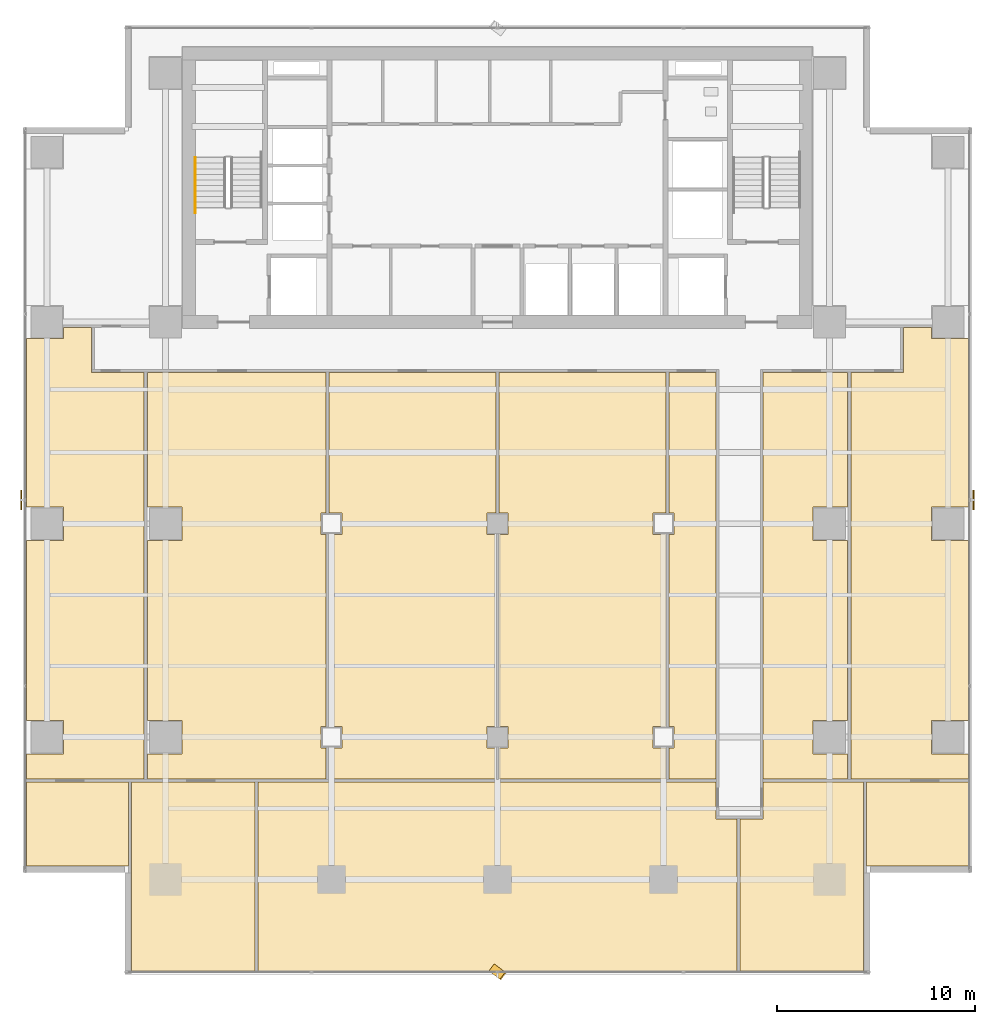
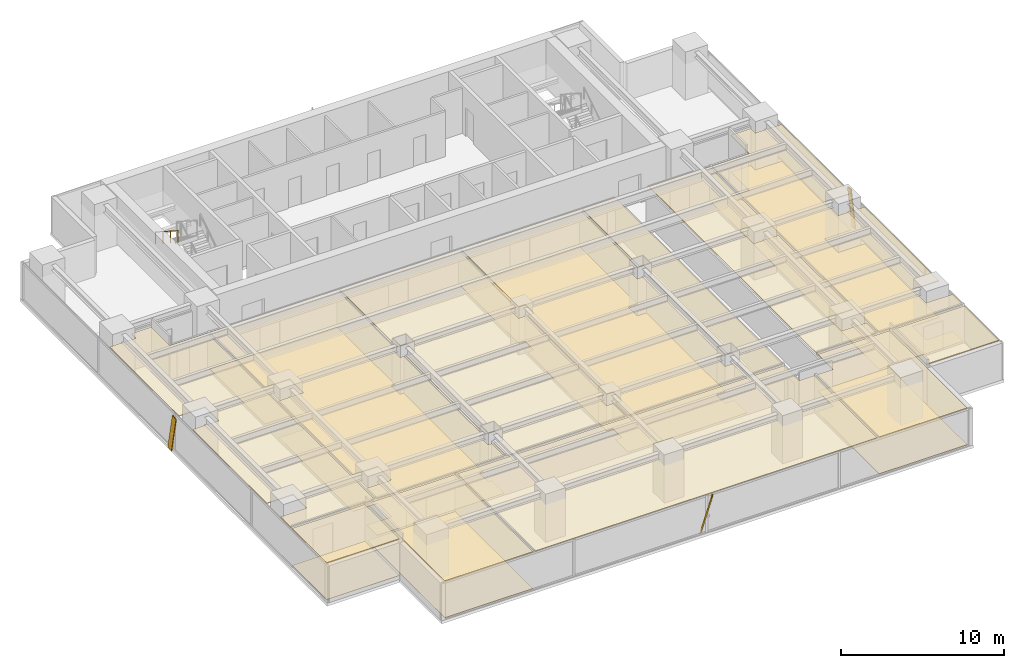
# One storey, part 24 of 28: 18 coverings, 3 shading devices, 1 railing.
"""IFC4 building model written with IfcOpenShell, lengths in metres."""

from ifc_helpers import new_model, si_unit, direction, frame, origin, origin_2d, place, context, subcontext, project, spatial, polyline, rectangle, outline, extrude, source, transform, mapped, material, layer, layer_set, material_profile, profile_set, type_object, element, save


model = new_model("IFC4")

# Units and contexts
model_context = context("Model", 3, precision=1e-05, world=origin(), true_north=direction((0.0, 1.0)))
body_context = subcontext(model_context, "Body", "Model", "MODEL_VIEW")
ifc_project = project(units=[si_unit("LENGTHUNIT", "METRE"), si_unit("AREAUNIT", "SQUARE_METRE"), si_unit("VOLUMEUNIT", "CUBIC_METRE"), si_unit("PLANEANGLEUNIT", "RADIAN"), si_unit("MASSUNIT", "GRAM", prefix="KILO")], contexts=[model_context])

# Site, building, storey
site_placement = place(None, origin())
site = spatial("IfcSite", under=ifc_project, at=site_placement, CompositionType="ELEMENT")
building_placement = place(site_placement, origin())
building = spatial("IfcBuilding", under=site, at=building_placement, Name="Sumidabori Civic Tower", CompositionType="ELEMENT")
storey_placement = place(building_placement, frame((0.0, 0.0, 178.39990234375)))
storey = spatial("IfcBuildingStorey", under=building, at=storey_placement, Name="L46", CompositionType="ELEMENT", Elevation=178.39990234375)

# Coverings
ifc_material_1 = material(Name="Gypsum Coffered Acoustic Ceiling")
ifc_layer_1 = layer(ifc_material_1, 0.06494140625, Name="Gypsum Coffered Acoustic Ceiling")
ifc_layer_set_1 = layer_set([ifc_layer_1], Name="Gypsum Coffered Acoustic Ceiling")
covering_type_1 = type_object("IfcCoveringType", Name="CV-CEIL-AC4", PredefinedType="CEILING", material=ifc_layer_set_1)
covering_1_placement = place(storey_placement, frame((0.0, 0.0, 2.72998046875)))
element("IfcCovering", 1, at=covering_1_placement, inside=storey, type_object=covering_type_1, Name="Room Acoustic Ceiling L46-02", PredefinedType="CEILING", context=body_context, shape_type="SweptSolid", body=[
    extrude(outline(polyline([(-23.830078125, -0.840087890625), (-21.9599609375, -0.840087890625), (-21.9599609375, 0.840087890625), (-23.830078125, 0.840087890625), (-23.830078125, 9.360107421875), (-21.9599609375, 9.360107421875), (-21.9599609375, 9.919921875), (-20.5400390625, 9.919921875), (-20.5400390625, 7.659912109375), (-17.8798828125, 7.659912109375), (-17.8798828125, -12.919921875), (-23.830078125, -12.919921875), (-23.830078125, -11.639892578125), (-21.9599609375, -11.639892578125), (-21.9599609375, -9.9599609375), (-23.830078125, -9.9599609375), (-23.830078125, -0.840087890625)])), origin(), (0.0, 0.0, 1.0), 0.065185546875),
])
covering_2_placement = place(storey_placement, frame((0.0, 0.0, 2.72998046875)))
element("IfcCovering", 2, at=covering_2_placement, inside=storey, type_object=covering_type_1, Name="Room Acoustic Ceiling L46-03", PredefinedType="CEILING", context=body_context, shape_type="SweptSolid", body=[
    extrude(outline(polyline([(23.830078125, 0.840087890625), (21.9599609375, 0.840087890625), (21.9599609375, -0.840087890625), (23.830078125, -0.840087890625), (23.830078125, -9.9599609375), (21.9599609375, -9.9599609375), (21.9599609375, -11.639892578125), (23.830078125, -11.639892578125), (23.830078125, -12.919921875), (17.8798828125, -12.919921875), (17.8798828125, 7.659912109375), (20.5400390625, 7.659912109375), (20.5400390625, 9.919921875), (21.9599609375, 9.919921875), (21.9599609375, 9.360107421875), (23.830078125, 9.360107421875), (23.830078125, 0.840087890625)])), origin(), (0.0, 0.0, 1.0), 0.065185546875),
])
covering_3_placement = place(storey_placement, frame((0.0, 0.0, 2.72998046875)))
element("IfcCovering", 3, at=covering_3_placement, inside=storey, type_object=covering_type_1, Name="Room Acoustic Ceiling L46-04", PredefinedType="CEILING", context=body_context, shape_type="SweptSolid", body=[
    extrude(outline(polyline([(13.43994140625, -12.919921875), (13.43994140625, 7.659912109375), (17.719970703125, 7.659912109375), (17.719970703125, 0.840087890625), (15.9599609375, 0.840087890625), (15.9599609375, -0.840087890625), (17.719970703125, -0.840087890625), (17.719970703125, -9.9599609375), (15.9599609375, -9.9599609375), (15.9599609375, -11.639892578125), (17.719970703125, -11.639892578125), (17.719970703125, -12.919921875), (13.43994140625, -12.919921875)])), origin(), (0.0, 0.0, 1.0), 0.065185546875),
])
covering_4_placement = place(storey_placement, frame((0.0, 0.0, 2.72998046875)))
element("IfcCovering", 4, at=covering_4_placement, inside=storey, type_object=covering_type_1, Name="Room Acoustic Ceiling L46-05", PredefinedType="CEILING", context=body_context, shape_type="SweptSolid", body=[
    extrude(outline(polyline([(-17.719970703125, -11.639892578125), (-15.9599609375, -11.639892578125), (-15.9599609375, -9.9599609375), (-17.719970703125, -9.9599609375), (-17.719970703125, -0.840087890625), (-15.9599609375, -0.840087890625), (-15.9599609375, 0.840087890625), (-17.719970703125, 0.840087890625), (-17.719970703125, 7.659912109375), (-8.679931640625, 7.659912109375), (-8.679931640625, 0.5400390625), (-8.93994140625, 0.5400390625), (-8.93994140625, -0.5400390625), (-8.679931640625, -0.5400390625), (-8.679931640625, -10.260009765625), (-8.93994140625, -10.260009765625), (-8.93994140625, -11.340087890625), (-8.679931640625, -11.340087890625), (-8.679931640625, -12.919921875), (-17.719970703125, -12.919921875), (-17.719970703125, -11.639892578125)])), origin(), (0.0, 0.0, 1.0), 0.065185546875),
])
covering_5_placement = place(storey_placement, frame((0.0, 0.0, 2.72998046875)))
element("IfcCovering", 5, at=covering_5_placement, inside=storey, type_object=covering_type_1, Name="Room Acoustic Ceiling L46-06", PredefinedType="CEILING", context=body_context, shape_type="SweptSolid", body=[
    extrude(outline(polyline([(-8.52001953125, -12.919921875), (-8.52001953125, -11.340087890625), (-7.860107421875, -11.340087890625), (-7.860107421875, -10.260009765625), (-8.52001953125, -10.260009765625), (-8.52001953125, -0.5400390625), (-7.860107421875, -0.5400390625), (-7.860107421875, 0.5400390625), (-8.52001953125, 0.5400390625), (-8.52001953125, 7.659912109375), (-0.080078125, 7.659912109375), (-0.080078125, 0.5400390625), (-0.5400390625, 0.5400390625), (-0.5400390625, -0.5400390625), (-0.080078125, -0.5400390625), (-0.080078125, -10.260009765625), (-0.5400390625, -10.260009765625), (-0.5400390625, -11.340087890625), (-0.080078125, -11.340087890625), (-0.080078125, -12.919921875), (-8.52001953125, -12.919921875)])), origin(), (0.0, 0.0, 1.0), 0.065185546875),
])
covering_6_placement = place(storey_placement, frame((0.0, 0.0, 2.72998046875)))
element("IfcCovering", 6, at=covering_6_placement, inside=storey, type_object=covering_type_1, Name="Room Acoustic Ceiling L46-07", PredefinedType="CEILING", context=body_context, shape_type="SweptSolid", body=[
    extrude(outline(polyline([(0.080078125, -12.919921875), (0.080078125, -11.340087890625), (0.5400390625, -11.340087890625), (0.5400390625, -10.260009765625), (0.080078125, -10.260009765625), (0.080078125, -0.5400390625), (0.5400390625, -0.5400390625), (0.5400390625, 0.5400390625), (0.080078125, 0.5400390625), (0.080078125, 7.659912109375), (8.52001953125, 7.659912109375), (8.52001953125, 0.5400390625), (7.860107421875, 0.5400390625), (7.860107421875, -0.5400390625), (8.52001953125, -0.5400390625), (8.52001953125, -10.260009765625), (7.860107421875, -10.260009765625), (7.860107421875, -11.340087890625), (8.52001953125, -11.340087890625), (8.52001953125, -12.919921875), (0.080078125, -12.919921875)])), origin(), (0.0, 0.0, 1.0), 0.065185546875),
])
covering_7_placement = place(storey_placement, frame((0.0, 0.0, 2.72998046875)))
element("IfcCovering", 7, at=covering_7_placement, inside=storey, type_object=covering_type_1, Name="Room Acoustic Ceiling L46-08", PredefinedType="CEILING", context=body_context, shape_type="SweptSolid", body=[
    extrude(outline(polyline([(8.679931640625, -12.919921875), (8.679931640625, -11.340087890625), (8.93994140625, -11.340087890625), (8.93994140625, -10.260009765625), (8.679931640625, -10.260009765625), (8.679931640625, -0.5400390625), (8.93994140625, -0.5400390625), (8.93994140625, 0.5400390625), (8.679931640625, 0.5400390625), (8.679931640625, 7.659912109375), (11.06005859375, 7.659912109375), (11.06005859375, -12.919921875), (8.679931640625, -12.919921875)])), origin(), (0.0, 0.0, 1.0), 0.065185546875),
])
covering_8_placement = place(storey_placement, frame((0.0, 0.0, 2.72998046875)))
element("IfcCovering", 8, at=covering_8_placement, inside=storey, type_object=covering_type_1, Name="Room Acoustic Ceiling L46-09", PredefinedType="CEILING", context=body_context, shape_type="SweptSolid", body=[
    extrude(outline(polyline([(-23.830078125, -17.322021484375), (-23.830078125, -13.080078125), (-18.679931640625, -13.080078125), (-18.679931640625, -17.322021484375), (-23.830078125, -17.322021484375)])), origin(), (0.0, 0.0, 1.0), 0.065185546875),
])
covering_9_placement = place(storey_placement, frame((0.0, 0.0, 2.72998046875)))
element("IfcCovering", 9, at=covering_9_placement, inside=storey, type_object=covering_type_1, Name="Room Acoustic Ceiling L46-10", PredefinedType="CEILING", context=body_context, shape_type="SweptSolid", body=[
    extrude(outline(polyline([(23.830078125, -13.080078125), (23.830078125, -17.322021484375), (18.679931640625, -17.322021484375), (18.679931640625, -13.080078125), (23.830078125, -13.080078125)])), origin(), (0.0, 0.0, 1.0), 0.065185546875),
])
covering_10_placement = place(storey_placement, frame((0.0, 0.0, 2.72998046875)))
element("IfcCovering", 10, at=covering_10_placement, inside=storey, type_object=covering_type_1, Name="Room Acoustic Ceiling L46-11", PredefinedType="CEILING", context=body_context, shape_type="SweptSolid", body=[
    extrude(outline(polyline([(-18.52001953125, -17.681884765625), (-18.52001953125, -13.080078125), (-12.280029296875, -13.080078125), (-12.280029296875, -22.6298828125), (-18.52197265625, -22.6298828125), (-18.52197265625, -17.681884765625), (-18.52001953125, -17.681884765625)])), origin(), (0.0, 0.0, 1.0), 0.065185546875),
])
covering_11_placement = place(storey_placement, frame((0.0, 0.0, 2.72998046875)))
element("IfcCovering", 11, at=covering_11_placement, inside=storey, type_object=covering_type_1, Name="Room Acoustic Ceiling L46-12", PredefinedType="CEILING", context=body_context, shape_type="SweptSolid", body=[
    extrude(outline(polyline([(-12.1201171875, -22.6298828125), (-12.1201171875, -13.080078125), (11.06005859375, -13.080078125), (11.06005859375, -14.93994140625), (12.1201171875, -14.93994140625), (12.1201171875, -22.6298828125), (-12.1201171875, -22.6298828125)])), origin(), (0.0, 0.0, 1.0), 0.065185546875),
])
covering_12_placement = place(storey_placement, frame((0.0, 0.0, 2.72998046875)))
element("IfcCovering", 12, at=covering_12_placement, inside=storey, type_object=covering_type_1, Name="Room Acoustic Ceiling L46-13", PredefinedType="CEILING", context=body_context, shape_type="SweptSolid", body=[
    extrude(outline(polyline([(18.52001953125, -17.681884765625), (18.52197265625, -17.681884765625), (18.52197265625, -22.6298828125), (12.280029296875, -22.6298828125), (12.280029296875, -14.93994140625), (13.43994140625, -14.93994140625), (13.43994140625, -13.080078125), (18.52001953125, -13.080078125), (18.52001953125, -17.681884765625)])), origin(), (0.0, 0.0, 1.0), 0.065185546875),
])
ifc_material_2 = material(Name="Honed Terrazzo Tile Flooring")
ifc_layer_2 = layer(ifc_material_2, 0.030029296875, Name="Honed Terrazzo Tile Flooring")
ifc_layer_set_2 = layer_set([ifc_layer_2], Name="Honed Terrazzo Tile Flooring")
covering_type_2 = type_object("IfcCoveringType", Name="CV-FLR-TER", PredefinedType="FLOORING", material=ifc_layer_set_2)
covering_13_placement = place(storey_placement, origin())
element("IfcCovering", 13, at=covering_13_placement, inside=storey, type_object=covering_type_2, Name="Room Terrazzo Floor L46-03", PredefinedType="FLOORING", context=body_context, shape_type="SweptSolid", body=[
    extrude(outline(polyline([(23.830078125, 0.840087890625), (21.9599609375, 0.840087890625), (21.9599609375, -0.840087890625), (23.830078125, -0.840087890625), (23.830078125, -9.9599609375), (21.9599609375, -9.9599609375), (21.9599609375, -11.639892578125), (23.830078125, -11.639892578125), (23.830078125, -12.919921875), (17.8798828125, -12.919921875), (17.8798828125, 7.659912109375), (20.5400390625, 7.659912109375), (20.5400390625, 9.919921875), (21.9599609375, 9.919921875), (21.9599609375, 9.360107421875), (23.830078125, 9.360107421875), (23.830078125, 0.840087890625)])), origin(), (0.0, 0.0, 1.0), 0.030029296875),
])
covering_14_placement = place(storey_placement, origin())
element("IfcCovering", 14, at=covering_14_placement, inside=storey, type_object=covering_type_2, Name="Room Terrazzo Floor L46-05", PredefinedType="FLOORING", context=body_context, shape_type="SweptSolid", body=[
    extrude(outline(polyline([(-17.719970703125, -11.639892578125), (-15.9599609375, -11.639892578125), (-15.9599609375, -9.9599609375), (-17.719970703125, -9.9599609375), (-17.719970703125, -0.840087890625), (-15.9599609375, -0.840087890625), (-15.9599609375, 0.840087890625), (-17.719970703125, 0.840087890625), (-17.719970703125, 7.659912109375), (-8.679931640625, 7.659912109375), (-8.679931640625, 0.5400390625), (-8.93994140625, 0.5400390625), (-8.93994140625, -0.5400390625), (-8.679931640625, -0.5400390625), (-8.679931640625, -10.260009765625), (-8.93994140625, -10.260009765625), (-8.93994140625, -11.340087890625), (-8.679931640625, -11.340087890625), (-8.679931640625, -12.919921875), (-17.719970703125, -12.919921875), (-17.719970703125, -11.639892578125)])), origin(), (0.0, 0.0, 1.0), 0.030029296875),
])
covering_15_placement = place(storey_placement, origin())
element("IfcCovering", 15, at=covering_15_placement, inside=storey, type_object=covering_type_2, Name="Room Terrazzo Floor L46-07", PredefinedType="FLOORING", context=body_context, shape_type="SweptSolid", body=[
    extrude(outline(polyline([(0.080078125, -12.919921875), (0.080078125, -11.340087890625), (0.5400390625, -11.340087890625), (0.5400390625, -10.260009765625), (0.080078125, -10.260009765625), (0.080078125, -0.5400390625), (0.5400390625, -0.5400390625), (0.5400390625, 0.5400390625), (0.080078125, 0.5400390625), (0.080078125, 7.659912109375), (8.52001953125, 7.659912109375), (8.52001953125, 0.5400390625), (7.860107421875, 0.5400390625), (7.860107421875, -0.5400390625), (8.52001953125, -0.5400390625), (8.52001953125, -10.260009765625), (7.860107421875, -10.260009765625), (7.860107421875, -11.340087890625), (8.52001953125, -11.340087890625), (8.52001953125, -12.919921875), (0.080078125, -12.919921875)])), origin(), (0.0, 0.0, 1.0), 0.030029296875),
])
covering_16_placement = place(storey_placement, origin())
element("IfcCovering", 16, at=covering_16_placement, inside=storey, type_object=covering_type_2, Name="Room Terrazzo Floor L46-09", PredefinedType="FLOORING", context=body_context, shape_type="SweptSolid", body=[
    extrude(outline(polyline([(-23.830078125, -17.322021484375), (-23.830078125, -13.080078125), (-18.679931640625, -13.080078125), (-18.679931640625, -17.322021484375), (-23.830078125, -17.322021484375)])), origin(), (0.0, 0.0, 1.0), 0.030029296875),
])
covering_17_placement = place(storey_placement, origin())
element("IfcCovering", 17, at=covering_17_placement, inside=storey, type_object=covering_type_2, Name="Room Terrazzo Floor L46-11", PredefinedType="FLOORING", context=body_context, shape_type="SweptSolid", body=[
    extrude(outline(polyline([(-18.52001953125, -17.681884765625), (-18.52001953125, -13.080078125), (-12.280029296875, -13.080078125), (-12.280029296875, -22.6298828125), (-18.52197265625, -22.6298828125), (-18.52197265625, -17.681884765625), (-18.52001953125, -17.681884765625)])), origin(), (0.0, 0.0, 1.0), 0.030029296875),
])
covering_18_placement = place(storey_placement, origin())
element("IfcCovering", 18, at=covering_18_placement, inside=storey, type_object=covering_type_2, Name="Room Terrazzo Floor L46-13", PredefinedType="FLOORING", context=body_context, shape_type="SweptSolid", body=[
    extrude(outline(polyline([(18.52001953125, -17.681884765625), (18.52197265625, -17.681884765625), (18.52197265625, -22.6298828125), (12.280029296875, -22.6298828125), (12.280029296875, -14.93994140625), (13.43994140625, -14.93994140625), (13.43994140625, -13.080078125), (18.52001953125, -13.080078125), (18.52001953125, -17.681884765625)])), origin(), (0.0, 0.0, 1.0), 0.030029296875),
])

# Railing
ifc_material_3 = material(Name="Stainless Steel Hairline Finish", Category="steel")
railing_type = type_object("IfcRailingType", Name="RL-HANDRAIL", PredefinedType="HANDRAIL", material=ifc_material_3)
railing_placement = place(storey_placement, frame((-15.2900390625, 18.52001953125, 1.97998046875)))
element("IfcRailing", 19, at=railing_placement, inside=storey, type_object=railing_type, Name="L46 ST-1 stair handrail 2", PredefinedType="HANDRAIL", context=body_context, shape_type="SweptSolid", body=[
    extrude(rectangle(XDim=0.048095703125, YDim=0.048095703125, at=origin_2d()), frame((0.0, 0.0, 0.8759765625), z_axis=(0.0, -0.84064222762, 0.54159084662), x_axis=(1.0, 0.0, 0.0)), (0.0, 0.0, 1.0), 3.330810546875),
    extrude(rectangle(XDim=0.0419921875, YDim=0.0419921875, at=origin_2d()), origin(), (0.0, 0.0, 1.0), 0.851806640625),
    extrude(rectangle(XDim=0.0419921875, YDim=0.0419921875, at=origin_2d()), frame((0.0, -0.933349609375, 0.601318359375)), (0.0, 0.0, 1.0), 0.851806640625),
    extrude(rectangle(XDim=0.0419921875, YDim=0.0419921875, at=origin_2d()), frame((0.0, -1.86669921875, 1.20263671875)), (0.0, 0.0, 1.0), 0.851806640625),
    extrude(rectangle(XDim=0.0419921875, YDim=0.0419921875, at=origin_2d()), frame((0.0, -2.800048828125, 1.803955078125)), (0.0, 0.0, 1.0), 0.851806640625),
])

# Shading devices
ifc_material_4 = material(Name="Anodised Bronze Aluminium AW-6063-T6", Category="aluminium")
ifc_material_profile = material_profile(ifc_material_4, rectangle(XDim=0.06005859375, YDim=0.449951171875, at=origin_2d()), Name="BRONZE FIN 450x60")
ifc_profile_set = profile_set([ifc_material_profile], Name="Anodised Bronze Aluminium AW-6063-T6")
shading_device_type = type_object("IfcShadingDeviceType", Name="SH-FIN-450", PredefinedType="USERDEFINED", material=ifc_profile_set)
shared_shape_1 = source(origin(), body_context, "Body", "SweptSolid", [
    extrude(rectangle(XDim=0.06005859375, YDim=0.449951171875, at=origin_2d()), origin(), (0.0, 0.0, 1.0), 2.78955078125),
])
shading_device_placement = place(storey_placement, frame((-0.280029296875, -22.469970703125, 0.02001953125), z_axis=(0.20077712468, -0.150539082149, 0.968001307308), x_axis=(0.774482065205, -0.580692742874, -0.250945151476)))
element("IfcShadingDevice", 20, at=shading_device_placement, inside=storey, type_object=shading_device_type, Name="Bronze Anodised Diagonal Fin L46-02", ObjectType="FIN", PredefinedType="USERDEFINED", context=body_context, shape_type="MappedRepresentation", body=[
    mapped(shared_shape_1, transform((0.0, 0.0, 0.0), x_axis=(1.0, 0.0, 0.0), y_axis=(0.0, 1.0, 0.0), z_axis=(0.0, 0.0, 1.0), scale=1.0)),
])
shared_shape_2 = source(origin(), body_context, "Body", "SweptSolid", [
    extrude(rectangle(XDim=0.06005859375, YDim=0.449951171875, at=origin_2d()), origin(), (0.0, 0.0, 1.0), 2.757568359375),
])
for number, where, z_axis, x_axis, name in (
    (21, (24.090087890625, 0.919921875, 0.02001953125), (0.0, 0.203091544008, 0.979159754459), (-1.0, 0.0, 0.0), "Bronze Anodised Diagonal Fin L46-02"),
    (22, (-24.090087890625, 1.47998046875, 0.02001953125), (0.0, -0.203091544008, 0.979159754459), (-1.0, 0.0, 0.0), "Bronze Anodised Diagonal Fin L46-02"),
):
    element("IfcShadingDevice", number, at=place(storey_placement, frame(where, z_axis=z_axis, x_axis=x_axis)), inside=storey, type_object=shading_device_type, Name=name, ObjectType="FIN", PredefinedType="USERDEFINED", context=body_context, shape_type="MappedRepresentation", body=[
        mapped(shared_shape_2, transform((0.0, 0.0, 0.0), x_axis=(1.0, 0.0, 0.0), y_axis=(0.0, 1.0, 0.0), z_axis=(0.0, 0.0, 1.0), scale=1.0)),
    ])

save(model, "model.ifc")
